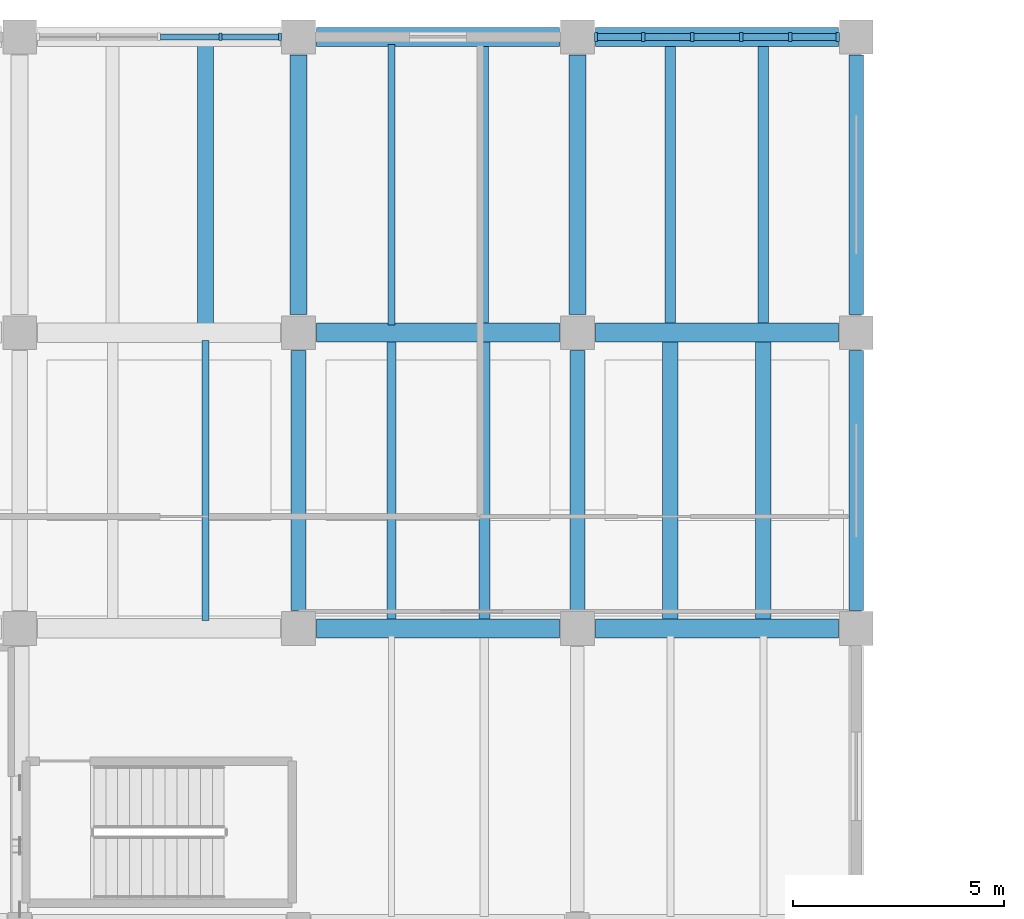
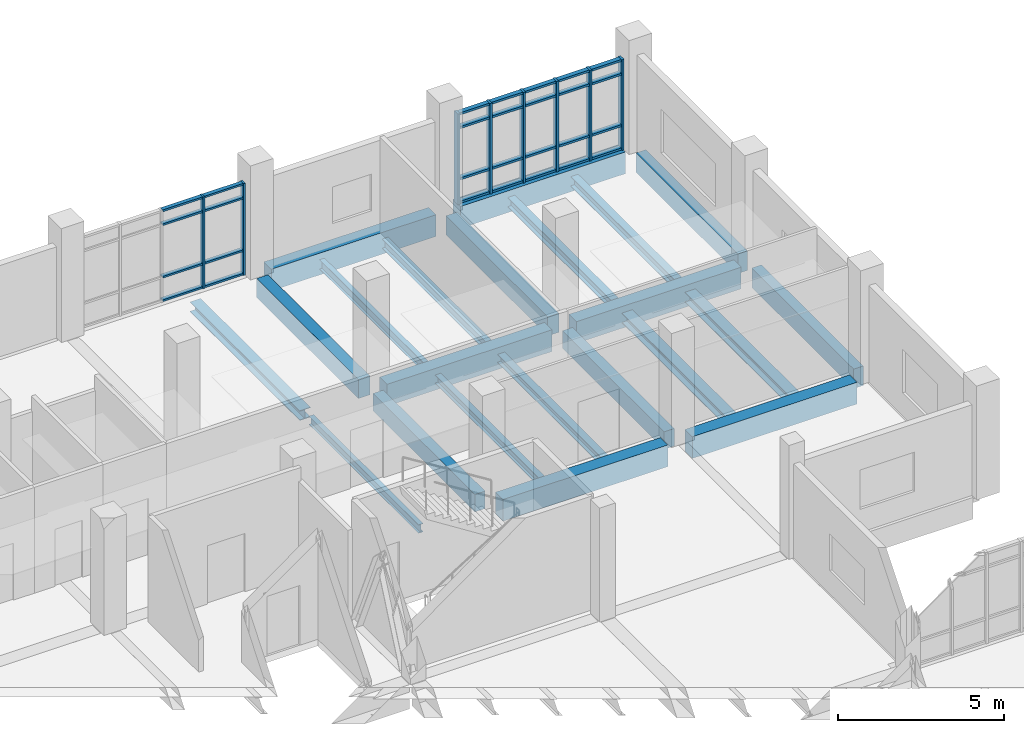
# One storey, part 34 of 67: 36 members, 22 beams, 2 elements without a shape of their own.
"""IFC4 building model written with IfcOpenShell, lengths in metres."""

from ifc_helpers import new_model, si_unit, direction, frame, origin, origin_2d, place, context, subcontext, project, spatial, rectangle, i_section, extrude, material, material_profile, profile_set, type_object, element, aggregate, save


model = new_model("IFC4")

# Units and contexts
model_context = context("Model", 3, precision=1e-05, world=origin(), true_north=direction((0.0, 1.0)))
body_context = subcontext(model_context, "Body", "Model", "MODEL_VIEW")
ifc_project = project(units=[si_unit("LENGTHUNIT", "METRE"), si_unit("AREAUNIT", "SQUARE_METRE"), si_unit("VOLUMEUNIT", "CUBIC_METRE"), si_unit("PLANEANGLEUNIT", "RADIAN"), si_unit("MASSUNIT", "GRAM", prefix="KILO")], contexts=[model_context])

# Site, building, storey
site_placement = place(None, origin())
site = spatial("IfcSite", under=ifc_project, at=site_placement, CompositionType="ELEMENT")
building_placement = place(site_placement, origin())
building = spatial("IfcBuilding", under=site, at=building_placement, Name="Ciguamira Faculty of Natural Sciences", CompositionType="ELEMENT")
storey_placement = place(building_placement, frame((0.0, 0.0, 8.39990234375)))
storey = spatial("IfcBuildingStorey", under=building, at=storey_placement, Name="L02", CompositionType="ELEMENT", Elevation=8.39990234375)

# Curtain wall, members
ifc_material_1 = material(Name="Anodized aluminium curtain wall", Category="aluminium")
curtain_wall_type_1 = type_object("IfcCurtainWallType", Name="CurtainWall_CW-02", PredefinedType="USERDEFINED", material=ifc_material_1)
curtain_wall_1_placement = place(storey_placement, origin())
curtain_wall_1 = element("IfcCurtainWall", 1, at=curtain_wall_1_placement, inside=storey, type_object=curtain_wall_type_1, Name="L02 unitised curtain wall 0074", ObjectType="UNITISED CURTAIN WALL", PredefinedType="USERDEFINED")
ifc_material_2 = material(Name="Anodized aluminium mullion", Category="aluminium")
ifc_material_profile_1 = material_profile(ifc_material_2, rectangle(XDim=0.070068359375, YDim=0.179931640625, at=origin_2d()), Name="ALU-MUL-70X180")
ifc_profile_set_1 = profile_set([ifc_material_profile_1], Name="Anodized aluminium mullion")
member_type_1 = type_object("IfcMemberType", Name="CWMullion_CWM-02", PredefinedType="MULLION", material=ifc_profile_set_1)
member_1_placement = place(storey_placement, frame((101.64990234375, 115.0, 0.0), z_axis=(0.0, 0.0, 1.0), x_axis=(1.0, 0.0, 0.0)))
member_1 = element("IfcMember", 2, at=member_1_placement, type_object=member_type_1, Name="CW-02 mullion 4", PredefinedType="MULLION", context=body_context, shape_type="SweptSolid", body=[
    extrude(rectangle(XDim=0.070068359375, YDim=0.179931640625, at=origin_2d()), origin(), (0.0, 0.0, 1.0), 3.385009765625),
])
member_2_placement = place(storey_placement, frame((103.06494140625, 115.0, 0.0), z_axis=(0.0, 0.0, 1.0), x_axis=(1.0, 0.0, 0.0)))
member_2 = element("IfcMember", 3, at=member_2_placement, type_object=member_type_1, Name="CW-02 mullion 5", PredefinedType="MULLION", context=body_context, shape_type="SweptSolid", body=[
    extrude(rectangle(XDim=0.070068359375, YDim=0.179931640625, at=origin_2d()), origin(), (0.0, 0.0, 1.0), 3.385009765625),
])

curtain_wall_type_2 = type_object("IfcCurtainWallType", Name="CurtainWall_CW-03", PredefinedType="USERDEFINED", material=ifc_material_1)
curtain_wall_2_placement = place(storey_placement, origin())
curtain_wall_2 = element("IfcCurtainWall", 4, at=curtain_wall_2_placement, inside=storey, type_object=curtain_wall_type_2, Name="L02 unitised curtain wall 0075", ObjectType="UNITISED CURTAIN WALL", PredefinedType="USERDEFINED")
ifc_material_profile_2 = material_profile(ifc_material_2, rectangle(XDim=0.080078125, YDim=0.219970703125, at=origin_2d()), Name="ALU-MUL-80X220")
ifc_profile_set_2 = profile_set([ifc_material_profile_2], Name="Anodized aluminium mullion")
member_type_2 = type_object("IfcMemberType", Name="CWMullion_CWM-03", PredefinedType="MULLION", material=ifc_profile_set_2)
member_3_placement = place(storey_placement, frame((110.5400390625, 115.0, 0.0), z_axis=(0.0, 0.0, 1.0), x_axis=(1.0, 0.0, 0.0)))
member_3 = element("IfcMember", 5, at=member_3_placement, type_object=member_type_2, Name="CW-03 mullion 1", PredefinedType="MULLION", context=body_context, shape_type="SweptSolid", body=[
    extrude(rectangle(XDim=0.080078125, YDim=0.219970703125, at=origin_2d()), origin(), (0.0, 0.0, 1.0), 3.34521484375),
])
member_4_placement = place(storey_placement, frame((111.659912109375, 115.0, 0.0), z_axis=(0.0, 0.0, 1.0), x_axis=(1.0, 0.0, 0.0)))
member_4 = element("IfcMember", 6, at=member_4_placement, type_object=member_type_2, Name="CW-03 mullion 2", PredefinedType="MULLION", context=body_context, shape_type="SweptSolid", body=[
    extrude(rectangle(XDim=0.080078125, YDim=0.219970703125, at=origin_2d()), origin(), (0.0, 0.0, 1.0), 3.34521484375),
])
member_5_placement = place(storey_placement, frame((112.820068359375, 115.0, 0.0), z_axis=(0.0, 0.0, 1.0), x_axis=(1.0, 0.0, 0.0)))
member_5 = element("IfcMember", 7, at=member_5_placement, type_object=member_type_2, Name="CW-03 mullion 3", PredefinedType="MULLION", context=body_context, shape_type="SweptSolid", body=[
    extrude(rectangle(XDim=0.080078125, YDim=0.219970703125, at=origin_2d()), origin(), (0.0, 0.0, 1.0), 3.34521484375),
])
member_6_placement = place(storey_placement, frame((113.97998046875, 115.0, 0.0), z_axis=(0.0, 0.0, 1.0), x_axis=(1.0, 0.0, 0.0)))
member_6 = element("IfcMember", 8, at=member_6_placement, type_object=member_type_2, Name="CW-03 mullion 4", PredefinedType="MULLION", context=body_context, shape_type="SweptSolid", body=[
    extrude(rectangle(XDim=0.080078125, YDim=0.219970703125, at=origin_2d()), origin(), (0.0, 0.0, 1.0), 3.34521484375),
])
member_7_placement = place(storey_placement, frame((115.139892578125, 115.0, 0.0), z_axis=(0.0, 0.0, 1.0), x_axis=(1.0, 0.0, 0.0)))
member_7 = element("IfcMember", 9, at=member_7_placement, type_object=member_type_2, Name="CW-03 mullion 5", PredefinedType="MULLION", context=body_context, shape_type="SweptSolid", body=[
    extrude(rectangle(XDim=0.080078125, YDim=0.219970703125, at=origin_2d()), origin(), (0.0, 0.0, 1.0), 3.34521484375),
])
member_8_placement = place(storey_placement, frame((116.260009765625, 115.0, 0.0), z_axis=(0.0, 0.0, 1.0), x_axis=(1.0, 0.0, 0.0)))
member_8 = element("IfcMember", 10, at=member_8_placement, type_object=member_type_2, Name="CW-03 mullion 6", PredefinedType="MULLION", context=body_context, shape_type="SweptSolid", body=[
    extrude(rectangle(XDim=0.080078125, YDim=0.219970703125, at=origin_2d()), origin(), (0.0, 0.0, 1.0), 3.34521484375),
])

# Member
ifc_material_3 = material(Name="Anodized aluminium transom", Category="aluminium")
ifc_material_profile_3 = material_profile(ifc_material_3, rectangle(XDim=0.070068359375, YDim=0.139892578125, at=origin_2d()), Name="ALU-TRN-70X140")
ifc_profile_set_3 = profile_set([ifc_material_profile_3], Name="Anodized aluminium transom")
member_type_3 = type_object("IfcMemberType", Name="CWTransom_CWT-02", PredefinedType="USERDEFINED", material=ifc_profile_set_3)
member_9_placement = place(storey_placement, frame((100.235107421875, 115.0, 0.03515625), z_axis=(1.0, 0.0, 0.0), x_axis=(0.0, 0.0, 1.0)))
member_9 = element("IfcMember", 11, at=member_9_placement, type_object=member_type_3, Name="CW-02 transom 3.1", ObjectType="TRANSOM", PredefinedType="USERDEFINED", context=body_context, shape_type="SweptSolid", body=[
    extrude(rectangle(XDim=0.070068359375, YDim=0.139892578125, at=origin_2d()), origin(), (0.0, 0.0, 1.0), 1.3798828125),
])

member_10_placement = place(storey_placement, frame((100.235107421875, 115.0, 0.900146484375), z_axis=(1.0, 0.0, 0.0), x_axis=(0.0, 0.0, 1.0)))
member_10 = element("IfcMember", 12, at=member_10_placement, type_object=member_type_3, Name="CW-02 transom 3.2", ObjectType="TRANSOM", PredefinedType="USERDEFINED", context=body_context, shape_type="SweptSolid", body=[
    extrude(rectangle(XDim=0.070068359375, YDim=0.139892578125, at=origin_2d()), origin(), (0.0, 0.0, 1.0), 1.3798828125),
])

member_11_placement = place(storey_placement, frame((100.235107421875, 115.0, 2.835205078125), z_axis=(1.0, 0.0, 0.0), x_axis=(0.0, 0.0, 1.0)))
member_11 = element("IfcMember", 13, at=member_11_placement, type_object=member_type_3, Name="CW-02 transom 3.3", ObjectType="TRANSOM", PredefinedType="USERDEFINED", context=body_context, shape_type="SweptSolid", body=[
    extrude(rectangle(XDim=0.070068359375, YDim=0.139892578125, at=origin_2d()), origin(), (0.0, 0.0, 1.0), 1.3798828125),
])

member_12_placement = place(storey_placement, frame((100.235107421875, 115.0, 3.35009765625), z_axis=(1.0, 0.0, 0.0), x_axis=(0.0, 0.0, 1.0)))
member_12 = element("IfcMember", 14, at=member_12_placement, type_object=member_type_3, Name="CW-02 transom 3.4", ObjectType="TRANSOM", PredefinedType="USERDEFINED", context=body_context, shape_type="SweptSolid", body=[
    extrude(rectangle(XDim=0.070068359375, YDim=0.139892578125, at=origin_2d()), origin(), (0.0, 0.0, 1.0), 1.3798828125),
])

member_13_placement = place(storey_placement, frame((101.68505859375, 115.0, 0.03515625), z_axis=(1.0, 0.0, 0.0), x_axis=(0.0, 0.0, 1.0)))
member_13 = element("IfcMember", 15, at=member_13_placement, type_object=member_type_3, Name="CW-02 transom 4.1", ObjectType="TRANSOM", PredefinedType="USERDEFINED", context=body_context, shape_type="SweptSolid", body=[
    extrude(rectangle(XDim=0.070068359375, YDim=0.139892578125, at=origin_2d()), origin(), (0.0, 0.0, 1.0), 1.344970703125),
])

member_14_placement = place(storey_placement, frame((101.68505859375, 115.0, 0.900146484375), z_axis=(1.0, 0.0, 0.0), x_axis=(0.0, 0.0, 1.0)))
member_14 = element("IfcMember", 16, at=member_14_placement, type_object=member_type_3, Name="CW-02 transom 4.2", ObjectType="TRANSOM", PredefinedType="USERDEFINED", context=body_context, shape_type="SweptSolid", body=[
    extrude(rectangle(XDim=0.070068359375, YDim=0.139892578125, at=origin_2d()), origin(), (0.0, 0.0, 1.0), 1.344970703125),
])

member_15_placement = place(storey_placement, frame((101.68505859375, 115.0, 2.835205078125), z_axis=(1.0, 0.0, 0.0), x_axis=(0.0, 0.0, 1.0)))
member_15 = element("IfcMember", 17, at=member_15_placement, type_object=member_type_3, Name="CW-02 transom 4.3", ObjectType="TRANSOM", PredefinedType="USERDEFINED", context=body_context, shape_type="SweptSolid", body=[
    extrude(rectangle(XDim=0.070068359375, YDim=0.139892578125, at=origin_2d()), origin(), (0.0, 0.0, 1.0), 1.344970703125),
])

member_16_placement = place(storey_placement, frame((101.68505859375, 115.0, 3.35009765625), z_axis=(1.0, 0.0, 0.0), x_axis=(0.0, 0.0, 1.0)))
member_16 = element("IfcMember", 18, at=member_16_placement, type_object=member_type_3, Name="CW-02 transom 4.4", ObjectType="TRANSOM", PredefinedType="USERDEFINED", context=body_context, shape_type="SweptSolid", body=[
    extrude(rectangle(XDim=0.070068359375, YDim=0.139892578125, at=origin_2d()), origin(), (0.0, 0.0, 1.0), 1.344970703125),
])

aggregate(curtain_wall_1, [member_1, member_2, member_9, member_10, member_11, member_12, member_13, member_14, member_15, member_16])

ifc_material_profile_4 = material_profile(ifc_material_3, rectangle(XDim=0.080078125, YDim=0.159912109375, at=origin_2d()), Name="ALU-TRN-80X160")
ifc_profile_set_4 = profile_set([ifc_material_profile_4], Name="Anodized aluminium transom")
member_type_4 = type_object("IfcMemberType", Name="CWTransom_CWT-03", PredefinedType="USERDEFINED", material=ifc_profile_set_4)
member_17_placement = place(storey_placement, frame((110.580078125, 115.0, 0.0400390625), z_axis=(1.0, 0.0, 0.0), x_axis=(0.0, 0.0, 1.0)))
member_17 = element("IfcMember", 19, at=member_17_placement, type_object=member_type_4, Name="CW-03 transom 1.1", ObjectType="TRANSOM", PredefinedType="USERDEFINED", context=body_context, shape_type="SweptSolid", body=[
    extrude(rectangle(XDim=0.080078125, YDim=0.159912109375, at=origin_2d()), origin(), (0.0, 0.0, 1.0), 1.0400390625),
])

member_18_placement = place(storey_placement, frame((110.580078125, 115.0, 0.900146484375), z_axis=(1.0, 0.0, 0.0), x_axis=(0.0, 0.0, 1.0)))
member_18 = element("IfcMember", 20, at=member_18_placement, type_object=member_type_4, Name="CW-03 transom 1.2", ObjectType="TRANSOM", PredefinedType="USERDEFINED", context=body_context, shape_type="SweptSolid", body=[
    extrude(rectangle(XDim=0.080078125, YDim=0.159912109375, at=origin_2d()), origin(), (0.0, 0.0, 1.0), 1.0400390625),
])

member_19_placement = place(storey_placement, frame((110.580078125, 115.0, 2.795166015625), z_axis=(1.0, 0.0, 0.0), x_axis=(0.0, 0.0, 1.0)))
member_19 = element("IfcMember", 21, at=member_19_placement, type_object=member_type_4, Name="CW-03 transom 1.3", ObjectType="TRANSOM", PredefinedType="USERDEFINED", context=body_context, shape_type="SweptSolid", body=[
    extrude(rectangle(XDim=0.080078125, YDim=0.159912109375, at=origin_2d()), origin(), (0.0, 0.0, 1.0), 1.0400390625),
])

member_20_placement = place(storey_placement, frame((110.580078125, 115.0, 3.30517578125), z_axis=(1.0, 0.0, 0.0), x_axis=(0.0, 0.0, 1.0)))
member_20 = element("IfcMember", 22, at=member_20_placement, type_object=member_type_4, Name="CW-03 transom 1.4", ObjectType="TRANSOM", PredefinedType="USERDEFINED", context=body_context, shape_type="SweptSolid", body=[
    extrude(rectangle(XDim=0.080078125, YDim=0.159912109375, at=origin_2d()), origin(), (0.0, 0.0, 1.0), 1.0400390625),
])

member_21_placement = place(storey_placement, frame((111.699951171875, 115.0, 0.0400390625), z_axis=(1.0, 0.0, 0.0), x_axis=(0.0, 0.0, 1.0)))
member_21 = element("IfcMember", 23, at=member_21_placement, type_object=member_type_4, Name="CW-03 transom 2.1", ObjectType="TRANSOM", PredefinedType="USERDEFINED", context=body_context, shape_type="SweptSolid", body=[
    extrude(rectangle(XDim=0.080078125, YDim=0.159912109375, at=origin_2d()), origin(), (0.0, 0.0, 1.0), 1.080078125),
])

member_22_placement = place(storey_placement, frame((111.699951171875, 115.0, 0.900146484375), z_axis=(1.0, 0.0, 0.0), x_axis=(0.0, 0.0, 1.0)))
member_22 = element("IfcMember", 24, at=member_22_placement, type_object=member_type_4, Name="CW-03 transom 2.2", ObjectType="TRANSOM", PredefinedType="USERDEFINED", context=body_context, shape_type="SweptSolid", body=[
    extrude(rectangle(XDim=0.080078125, YDim=0.159912109375, at=origin_2d()), origin(), (0.0, 0.0, 1.0), 1.080078125),
])

member_23_placement = place(storey_placement, frame((111.699951171875, 115.0, 2.795166015625), z_axis=(1.0, 0.0, 0.0), x_axis=(0.0, 0.0, 1.0)))
member_23 = element("IfcMember", 25, at=member_23_placement, type_object=member_type_4, Name="CW-03 transom 2.3", ObjectType="TRANSOM", PredefinedType="USERDEFINED", context=body_context, shape_type="SweptSolid", body=[
    extrude(rectangle(XDim=0.080078125, YDim=0.159912109375, at=origin_2d()), origin(), (0.0, 0.0, 1.0), 1.080078125),
])

member_24_placement = place(storey_placement, frame((111.699951171875, 115.0, 3.30517578125), z_axis=(1.0, 0.0, 0.0), x_axis=(0.0, 0.0, 1.0)))
member_24 = element("IfcMember", 26, at=member_24_placement, type_object=member_type_4, Name="CW-03 transom 2.4", ObjectType="TRANSOM", PredefinedType="USERDEFINED", context=body_context, shape_type="SweptSolid", body=[
    extrude(rectangle(XDim=0.080078125, YDim=0.159912109375, at=origin_2d()), origin(), (0.0, 0.0, 1.0), 1.080078125),
])

member_25_placement = place(storey_placement, frame((112.860107421875, 115.0, 0.0400390625), z_axis=(1.0, 0.0, 0.0), x_axis=(0.0, 0.0, 1.0)))
member_25 = element("IfcMember", 27, at=member_25_placement, type_object=member_type_4, Name="CW-03 transom 3.1", ObjectType="TRANSOM", PredefinedType="USERDEFINED", context=body_context, shape_type="SweptSolid", body=[
    extrude(rectangle(XDim=0.080078125, YDim=0.159912109375, at=origin_2d()), origin(), (0.0, 0.0, 1.0), 1.079833984375),
])

member_26_placement = place(storey_placement, frame((112.860107421875, 115.0, 0.900146484375), z_axis=(1.0, 0.0, 0.0), x_axis=(0.0, 0.0, 1.0)))
member_26 = element("IfcMember", 28, at=member_26_placement, type_object=member_type_4, Name="CW-03 transom 3.2", ObjectType="TRANSOM", PredefinedType="USERDEFINED", context=body_context, shape_type="SweptSolid", body=[
    extrude(rectangle(XDim=0.080078125, YDim=0.159912109375, at=origin_2d()), origin(), (0.0, 0.0, 1.0), 1.079833984375),
])

member_27_placement = place(storey_placement, frame((112.860107421875, 115.0, 2.795166015625), z_axis=(1.0, 0.0, 0.0), x_axis=(0.0, 0.0, 1.0)))
member_27 = element("IfcMember", 29, at=member_27_placement, type_object=member_type_4, Name="CW-03 transom 3.3", ObjectType="TRANSOM", PredefinedType="USERDEFINED", context=body_context, shape_type="SweptSolid", body=[
    extrude(rectangle(XDim=0.080078125, YDim=0.159912109375, at=origin_2d()), origin(), (0.0, 0.0, 1.0), 1.079833984375),
])

member_28_placement = place(storey_placement, frame((112.860107421875, 115.0, 3.30517578125), z_axis=(1.0, 0.0, 0.0), x_axis=(0.0, 0.0, 1.0)))
member_28 = element("IfcMember", 30, at=member_28_placement, type_object=member_type_4, Name="CW-03 transom 3.4", ObjectType="TRANSOM", PredefinedType="USERDEFINED", context=body_context, shape_type="SweptSolid", body=[
    extrude(rectangle(XDim=0.080078125, YDim=0.159912109375, at=origin_2d()), origin(), (0.0, 0.0, 1.0), 1.079833984375),
])

member_29_placement = place(storey_placement, frame((114.02001953125, 115.0, 0.0400390625), z_axis=(1.0, 0.0, 0.0), x_axis=(0.0, 0.0, 1.0)))
member_29 = element("IfcMember", 31, at=member_29_placement, type_object=member_type_4, Name="CW-03 transom 4.1", ObjectType="TRANSOM", PredefinedType="USERDEFINED", context=body_context, shape_type="SweptSolid", body=[
    extrude(rectangle(XDim=0.080078125, YDim=0.159912109375, at=origin_2d()), origin(), (0.0, 0.0, 1.0), 1.080078125),
])

member_30_placement = place(storey_placement, frame((114.02001953125, 115.0, 0.900146484375), z_axis=(1.0, 0.0, 0.0), x_axis=(0.0, 0.0, 1.0)))
member_30 = element("IfcMember", 32, at=member_30_placement, type_object=member_type_4, Name="CW-03 transom 4.2", ObjectType="TRANSOM", PredefinedType="USERDEFINED", context=body_context, shape_type="SweptSolid", body=[
    extrude(rectangle(XDim=0.080078125, YDim=0.159912109375, at=origin_2d()), origin(), (0.0, 0.0, 1.0), 1.080078125),
])

member_31_placement = place(storey_placement, frame((114.02001953125, 115.0, 2.795166015625), z_axis=(1.0, 0.0, 0.0), x_axis=(0.0, 0.0, 1.0)))
member_31 = element("IfcMember", 33, at=member_31_placement, type_object=member_type_4, Name="CW-03 transom 4.3", ObjectType="TRANSOM", PredefinedType="USERDEFINED", context=body_context, shape_type="SweptSolid", body=[
    extrude(rectangle(XDim=0.080078125, YDim=0.159912109375, at=origin_2d()), origin(), (0.0, 0.0, 1.0), 1.080078125),
])

member_32_placement = place(storey_placement, frame((114.02001953125, 115.0, 3.30517578125), z_axis=(1.0, 0.0, 0.0), x_axis=(0.0, 0.0, 1.0)))
member_32 = element("IfcMember", 34, at=member_32_placement, type_object=member_type_4, Name="CW-03 transom 4.4", ObjectType="TRANSOM", PredefinedType="USERDEFINED", context=body_context, shape_type="SweptSolid", body=[
    extrude(rectangle(XDim=0.080078125, YDim=0.159912109375, at=origin_2d()), origin(), (0.0, 0.0, 1.0), 1.080078125),
])

member_33_placement = place(storey_placement, frame((115.179931640625, 115.0, 0.0400390625), z_axis=(1.0, 0.0, 0.0), x_axis=(0.0, 0.0, 1.0)))
member_33 = element("IfcMember", 35, at=member_33_placement, type_object=member_type_4, Name="CW-03 transom 5.1", ObjectType="TRANSOM", PredefinedType="USERDEFINED", context=body_context, shape_type="SweptSolid", body=[
    extrude(rectangle(XDim=0.080078125, YDim=0.159912109375, at=origin_2d()), origin(), (0.0, 0.0, 1.0), 1.0400390625),
])

member_34_placement = place(storey_placement, frame((115.179931640625, 115.0, 0.900146484375), z_axis=(1.0, 0.0, 0.0), x_axis=(0.0, 0.0, 1.0)))
member_34 = element("IfcMember", 36, at=member_34_placement, type_object=member_type_4, Name="CW-03 transom 5.2", ObjectType="TRANSOM", PredefinedType="USERDEFINED", context=body_context, shape_type="SweptSolid", body=[
    extrude(rectangle(XDim=0.080078125, YDim=0.159912109375, at=origin_2d()), origin(), (0.0, 0.0, 1.0), 1.0400390625),
])

member_35_placement = place(storey_placement, frame((115.179931640625, 115.0, 2.795166015625), z_axis=(1.0, 0.0, 0.0), x_axis=(0.0, 0.0, 1.0)))
member_35 = element("IfcMember", 37, at=member_35_placement, type_object=member_type_4, Name="CW-03 transom 5.3", ObjectType="TRANSOM", PredefinedType="USERDEFINED", context=body_context, shape_type="SweptSolid", body=[
    extrude(rectangle(XDim=0.080078125, YDim=0.159912109375, at=origin_2d()), origin(), (0.0, 0.0, 1.0), 1.0400390625),
])

member_36_placement = place(storey_placement, frame((115.179931640625, 115.0, 3.30517578125), z_axis=(1.0, 0.0, 0.0), x_axis=(0.0, 0.0, 1.0)))
member_36 = element("IfcMember", 38, at=member_36_placement, type_object=member_type_4, Name="CW-03 transom 5.4", ObjectType="TRANSOM", PredefinedType="USERDEFINED", context=body_context, shape_type="SweptSolid", body=[
    extrude(rectangle(XDim=0.080078125, YDim=0.159912109375, at=origin_2d()), origin(), (0.0, 0.0, 1.0), 1.0400390625),
])

aggregate(curtain_wall_2, [member_3, member_4, member_5, member_6, member_7, member_8, member_17, member_18, member_19, member_20, member_21, member_22, member_23, member_24, member_25, member_26, member_27, member_28, member_29, member_30, member_31, member_32, member_33, member_34, member_35, member_36])

# Beams
ifc_material_4 = material(Name="Concrete C40/50", Category="concrete")
ifc_material_profile_5 = material_profile(ifc_material_4, rectangle(XDim=0.449951171875, YDim=0.800048828125, at=origin_2d()), Name="RC-BM-450X800")
ifc_profile_set_5 = profile_set([ifc_material_profile_5], Name="Concrete C40/50")
beam_type_1 = type_object("IfcBeamType", Name="RCBeam_BG-05_RC-BM-450X800", PredefinedType="BEAM", material=ifc_profile_set_5)
for number, where, z_axis, x_axis, name in (
    (39, (103.925048828125, 101.0, -0.39990234375), (1.0, 0.0, 0.0), (0.0, 1.0, 0.0), "L02 RC girder EW-0855"),
    (40, (110.52490234375, 101.0, -0.39990234375), (1.0, 0.0, 0.0), (0.0, 1.0, 0.0), "L02 RC girder EW-0856"),
    (41, (103.925048828125, 108.0, -0.39990234375), (1.0, 0.0, 0.0), (0.0, 1.0, 0.0), "L02 RC girder EW-0864"),
    (42, (110.52490234375, 108.0, -0.39990234375), (1.0, 0.0, 0.0), (0.0, 1.0, 0.0), "L02 RC girder EW-0865"),
    (43, (103.925048828125, 115.0, -0.39990234375), (1.0, 0.0, 0.0), (0.0, 1.0, 0.0), "L02 RC girder EW-0873"),
    (44, (110.52490234375, 115.0, -0.39990234375), (1.0, 0.0, 0.0), (0.0, 1.0, 0.0), "L02 RC girder EW-0874"),
):
    element("IfcBeam", number, at=place(storey_placement, frame(where, z_axis=z_axis, x_axis=x_axis)), inside=storey, type_object=beam_type_1, Name=name, PredefinedType="BEAM", context=body_context, shape_type="SweptSolid", body=[
        extrude(rectangle(XDim=0.449951171875, YDim=0.800048828125, at=origin_2d()), origin(), (0.0, 0.0, 1.0), 5.75),
    ])
ifc_material_profile_6 = material_profile(ifc_material_4, rectangle(XDim=0.39990234375, YDim=0.699951171875, at=origin_2d()), Name="RC-BM-400X700")
ifc_profile_set_6 = profile_set([ifc_material_profile_6], Name="Concrete C40/50")
beam_type_2 = type_object("IfcBeamType", Name="RCBeam_BG-08_RC-BM-400X700", PredefinedType="BEAM", material=ifc_profile_set_6)
for number, where, z_axis, x_axis, name in (
    (45, (103.5, 108.425048828125, -0.349853515625), (0.0, 1.0, 0.0), (-1.0, 0.0, 0.0), "L02 girder NS-0985"),
    (46, (110.10009765625, 108.425048828125, -0.349853515625), (0.0, 1.0, 0.0), (-1.0, 0.0, 0.0), "L02 girder NS-0998"),
):
    element("IfcBeam", number, at=place(storey_placement, frame(where, z_axis=z_axis, x_axis=x_axis)), inside=storey, type_object=beam_type_2, Name=name, PredefinedType="BEAM", context=body_context, shape_type="SweptSolid", body=[
        extrude(rectangle(XDim=0.39990234375, YDim=0.699951171875, at=origin_2d()), origin(), (0.0, 0.0, 1.0), 6.14990234375),
    ])
ifc_material_profile_7 = material_profile(ifc_material_4, rectangle(XDim=0.360107421875, YDim=0.639892578125, at=origin_2d()), Name="RC-BM-360X640")
ifc_profile_set_7 = profile_set([ifc_material_profile_7], Name="Concrete C40/50")
beam_type_3 = type_object("IfcBeamType", Name="RCBeam_BG-10_RC-BM-360X640", PredefinedType="BEAM", material=ifc_profile_set_7)
for number, where, z_axis, x_axis, name in (
    (47, (103.5, 101.425048828125, -0.31982421875), (0.0, 1.0, 0.0), (-1.0, 0.0, 0.0), "L02 girder NS-0984"),
    (48, (110.10009765625, 101.425048828125, -0.31982421875), (0.0, 1.0, 0.0), (-1.0, 0.0, 0.0), "L02 girder NS-0997"),
):
    element("IfcBeam", number, at=place(storey_placement, frame(where, z_axis=z_axis, x_axis=x_axis)), inside=storey, type_object=beam_type_3, Name=name, PredefinedType="BEAM", context=body_context, shape_type="SweptSolid", body=[
        extrude(rectangle(XDim=0.360107421875, YDim=0.639892578125, at=origin_2d()), origin(), (0.0, 0.0, 1.0), 6.14990234375),
    ])
ifc_material_5 = material(Name="Precast concrete C40/50", Category="concrete")
ifc_material_profile_8 = material_profile(ifc_material_5, rectangle(XDim=0.340087890625, YDim=0.719970703125, at=origin_2d()), Name="RC-SP-340X720")
ifc_profile_set_8 = profile_set([ifc_material_profile_8], Name="Precast concrete C40/50")
beam_type_4 = type_object("IfcBeamType", Name="RCBeam_SP-03_RC-SP-340X720", PredefinedType="SPANDREL", material=ifc_profile_set_8)
for number, where, z_axis, x_axis, name in (
    (49, (116.699951171875, 101.425048828125, -0.35986328125), (0.0, 1.0, 0.0), (-1.0, 0.0, 0.0), "L02 girder NS-1009"),
    (50, (116.699951171875, 108.425048828125, -0.35986328125), (0.0, 1.0, 0.0), (-1.0, 0.0, 0.0), "L02 girder NS-1010"),
):
    element("IfcBeam", number, at=place(storey_placement, frame(where, z_axis=z_axis, x_axis=x_axis)), inside=storey, type_object=beam_type_4, Name=name, PredefinedType="SPANDREL", context=body_context, shape_type="SweptSolid", body=[
        extrude(rectangle(XDim=0.340087890625, YDim=0.719970703125, at=origin_2d()), origin(), (0.0, 0.0, 1.0), 6.14990234375),
    ])
ifc_material_6 = material(Name="Steel ASTM A992 Grade 50", Category="steel")
ifc_material_profile_9 = material_profile(ifc_material_6, i_section(OverallWidth=0.164794921875, OverallDepth=0.309814453125, WebThickness=0.005859375, FlangeThickness=0.009765625, at=origin_2d()), Name="W12X26")
ifc_profile_set_9 = profile_set([ifc_material_profile_9], Name="Steel ASTM A992 Grade 50")
beam_type_5 = type_object("IfcBeamType", Name="SteelJoist_SJ-04_W12X26", PredefinedType="JOIST", material=ifc_profile_set_9)
beam_1_placement = place(storey_placement, frame((101.300048828125, 101.18994140625, -0.394775390625), z_axis=(0.0, 1.0, 0.0), x_axis=(-1.0, 0.0, 0.0)))
element("IfcBeam", 51, at=beam_1_placement, inside=storey, type_object=beam_type_5, Name="L02 composite steel joist 00889", PredefinedType="JOIST", context=body_context, shape_type="SweptSolid", body=[
    extrude(i_section(OverallWidth=0.164794921875, OverallDepth=0.309814453125, WebThickness=0.005859375, FlangeThickness=0.009765625, at=origin_2d()), origin(), (0.0, 0.0, 1.0), 6.6201171875),
])
ifc_material_profile_10 = material_profile(ifc_material_6, i_section(OverallWidth=0.20458984375, OverallDepth=0.307373046875, WebThickness=0.008544921875, FlangeThickness=0.0146484375, at=origin_2d()), Name="W12X45")
ifc_profile_set_10 = profile_set([ifc_material_profile_10], Name="Steel ASTM A992 Grade 50")
beam_type_6 = type_object("IfcBeamType", Name="SteelJoist_SJ-06_W12X45", PredefinedType="JOIST", material=ifc_profile_set_10)
beam_2_placement = place(storey_placement, frame((105.699951171875, 101.18505859375, -0.3935546875), z_axis=(0.0, 1.0, 0.0), x_axis=(-1.0, 0.0, 0.0)))
element("IfcBeam", 52, at=beam_2_placement, inside=storey, type_object=beam_type_6, Name="L02 composite steel joist 00915", PredefinedType="JOIST", context=body_context, shape_type="SweptSolid", body=[
    extrude(i_section(OverallWidth=0.20458984375, OverallDepth=0.307373046875, WebThickness=0.008544921875, FlangeThickness=0.0146484375, at=origin_2d()), origin(), (0.0, 0.0, 1.0), 6.6298828125),
])
ifc_material_profile_11 = material_profile(ifc_material_6, i_section(OverallWidth=0.25390625, OverallDepth=0.307373046875, WebThickness=0.0087890625, FlangeThickness=0.0146484375, at=origin_2d()), Name="W12X53")
ifc_profile_set_11 = profile_set([ifc_material_profile_11], Name="Steel ASTM A992 Grade 50")
beam_type_7 = type_object("IfcBeamType", Name="SteelJoist_SJ-07_W12X53", PredefinedType="JOIST", material=ifc_profile_set_11)
beam_3_placement = place(storey_placement, frame((107.89990234375, 101.18505859375, -0.3935546875), z_axis=(0.0, 1.0, 0.0), x_axis=(-1.0, 0.0, 0.0)))
element("IfcBeam", 53, at=beam_3_placement, inside=storey, type_object=beam_type_7, Name="L02 composite steel joist 00916", PredefinedType="JOIST", context=body_context, shape_type="SweptSolid", body=[
    extrude(i_section(OverallWidth=0.25390625, OverallDepth=0.307373046875, WebThickness=0.0087890625, FlangeThickness=0.0146484375, at=origin_2d()), origin(), (0.0, 0.0, 1.0), 6.6298828125),
])
ifc_material_profile_12 = material_profile(ifc_material_6, i_section(OverallWidth=0.370849609375, OverallDepth=0.36328125, WebThickness=0.013427734375, FlangeThickness=0.021728515625, at=origin_2d()), Name="W14X109")
ifc_profile_set_12 = profile_set([ifc_material_profile_12], Name="Steel ASTM A992 Grade 50")
beam_type_8 = type_object("IfcBeamType", Name="SteelJoist_SJ-09_W14X109", PredefinedType="JOIST", material=ifc_profile_set_12)
beam_4_placement = place(storey_placement, frame((101.300048828125, 108.18994140625, -0.42138671875), z_axis=(0.0, 1.0, 0.0), x_axis=(-1.0, 0.0, 0.0)))
element("IfcBeam", 54, at=beam_4_placement, inside=storey, type_object=beam_type_8, Name="L02 composite steel joist 00891", PredefinedType="JOIST", context=body_context, shape_type="SweptSolid", body=[
    extrude(i_section(OverallWidth=0.370849609375, OverallDepth=0.36328125, WebThickness=0.013427734375, FlangeThickness=0.021728515625, at=origin_2d()), origin(), (0.0, 0.0, 1.0), 6.6201171875),
])
beam_5_placement = place(storey_placement, frame((112.300048828125, 101.18505859375, -0.42138671875), z_axis=(0.0, 1.0, 0.0), x_axis=(-1.0, 0.0, 0.0)))
element("IfcBeam", 55, at=beam_5_placement, inside=storey, type_object=beam_type_8, Name="L02 composite steel joist 00945", PredefinedType="JOIST", context=body_context, shape_type="SweptSolid", body=[
    extrude(i_section(OverallWidth=0.370849609375, OverallDepth=0.36328125, WebThickness=0.013427734375, FlangeThickness=0.021728515625, at=origin_2d()), origin(), (0.0, 0.0, 1.0), 6.6298828125),
])
ifc_material_profile_13 = material_profile(ifc_material_6, i_section(OverallWidth=0.373291015625, OverallDepth=0.373291015625, WebThickness=0.016357421875, FlangeThickness=0.026123046875, at=origin_2d()), Name="W14X132")
ifc_profile_set_13 = profile_set([ifc_material_profile_13], Name="Steel ASTM A992 Grade 50")
beam_type_9 = type_object("IfcBeamType", Name="SteelJoist_SJ-10_W14X132", PredefinedType="JOIST", material=ifc_profile_set_13)
beam_6_placement = place(storey_placement, frame((114.5, 101.18505859375, -0.426513671875), z_axis=(0.0, 1.0, 0.0), x_axis=(-1.0, 0.0, 0.0)))
element("IfcBeam", 56, at=beam_6_placement, inside=storey, type_object=beam_type_9, Name="L02 composite steel joist 00946", PredefinedType="JOIST", context=body_context, shape_type="SweptSolid", body=[
    extrude(i_section(OverallWidth=0.373291015625, OverallDepth=0.373291015625, WebThickness=0.016357421875, FlangeThickness=0.026123046875, at=origin_2d()), origin(), (0.0, 0.0, 1.0), 6.6298828125),
])
ifc_material_profile_14 = material_profile(ifc_material_6, i_section(OverallWidth=0.1708984375, OverallDepth=0.3505859375, WebThickness=0.0068359375, FlangeThickness=0.009765625, at=origin_2d()), Name="W14X30")
ifc_profile_set_14 = profile_set([ifc_material_profile_14], Name="Steel ASTM A992 Grade 50")
beam_type_10 = type_object("IfcBeamType", Name="SteelJoist_SJ-11_W14X30", PredefinedType="JOIST", material=ifc_profile_set_14)
beam_7_placement = place(storey_placement, frame((105.699951171875, 108.18505859375, -0.415283203125), z_axis=(0.0, 1.0, 0.0), x_axis=(-1.0, 0.0, 0.0)))
element("IfcBeam", 57, at=beam_7_placement, inside=storey, type_object=beam_type_10, Name="L02 composite steel joist 00917", PredefinedType="JOIST", context=body_context, shape_type="SweptSolid", body=[
    extrude(i_section(OverallWidth=0.1708984375, OverallDepth=0.3505859375, WebThickness=0.0068359375, FlangeThickness=0.009765625, at=origin_2d()), origin(), (0.0, 0.0, 1.0), 6.6298828125),
])
ifc_material_profile_15 = material_profile(ifc_material_6, i_section(OverallWidth=0.203125, OverallDepth=0.347900390625, WebThickness=0.0078125, FlangeThickness=0.013427734375, at=origin_2d()), Name="W14X43")
ifc_profile_set_15 = profile_set([ifc_material_profile_15], Name="Steel ASTM A992 Grade 50")
beam_type_11 = type_object("IfcBeamType", Name="SteelJoist_SJ-12_W14X43", PredefinedType="JOIST", material=ifc_profile_set_15)
beam_8_placement = place(storey_placement, frame((107.89990234375, 108.18505859375, -0.413818359375), z_axis=(0.0, 1.0, 0.0), x_axis=(-1.0, 0.0, 0.0)))
element("IfcBeam", 58, at=beam_8_placement, inside=storey, type_object=beam_type_11, Name="L02 composite steel joist 00918", PredefinedType="JOIST", context=body_context, shape_type="SweptSolid", body=[
    extrude(i_section(OverallWidth=0.203125, OverallDepth=0.347900390625, WebThickness=0.0078125, FlangeThickness=0.013427734375, at=origin_2d()), origin(), (0.0, 0.0, 1.0), 6.6298828125),
])
ifc_material_profile_16 = material_profile(ifc_material_6, i_section(OverallWidth=0.25390625, OverallDepth=0.355712890625, WebThickness=0.010498046875, FlangeThickness=0.018310546875, at=origin_2d()), Name="W14X68")
ifc_profile_set_16 = profile_set([ifc_material_profile_16], Name="Steel ASTM A992 Grade 50")
beam_type_12 = type_object("IfcBeamType", Name="SteelJoist_SJ-14_W14X68", PredefinedType="JOIST", material=ifc_profile_set_16)
beam_9_placement = place(storey_placement, frame((112.300048828125, 108.18505859375, -0.417724609375), z_axis=(0.0, 1.0, 0.0), x_axis=(-1.0, 0.0, 0.0)))
element("IfcBeam", 59, at=beam_9_placement, inside=storey, type_object=beam_type_12, Name="L02 composite steel joist 00947", PredefinedType="JOIST", context=body_context, shape_type="SweptSolid", body=[
    extrude(i_section(OverallWidth=0.25390625, OverallDepth=0.355712890625, WebThickness=0.010498046875, FlangeThickness=0.018310546875, at=origin_2d()), origin(), (0.0, 0.0, 1.0), 6.6298828125),
])
ifc_material_profile_17 = material_profile(ifc_material_6, i_section(OverallWidth=0.256591796875, OverallDepth=0.36328125, WebThickness=0.012939453125, FlangeThickness=0.021728515625, at=origin_2d()), Name="W14X82")
ifc_profile_set_17 = profile_set([ifc_material_profile_17], Name="Steel ASTM A992 Grade 50")
beam_type_13 = type_object("IfcBeamType", Name="SteelJoist_SJ-15_W14X82", PredefinedType="JOIST", material=ifc_profile_set_17)
beam_10_placement = place(storey_placement, frame((114.5, 108.18505859375, -0.42138671875), z_axis=(0.0, 1.0, 0.0), x_axis=(-1.0, 0.0, 0.0)))
element("IfcBeam", 60, at=beam_10_placement, inside=storey, type_object=beam_type_13, Name="L02 composite steel joist 00948", PredefinedType="JOIST", context=body_context, shape_type="SweptSolid", body=[
    extrude(i_section(OverallWidth=0.256591796875, OverallDepth=0.36328125, WebThickness=0.012939453125, FlangeThickness=0.021728515625, at=origin_2d()), origin(), (0.0, 0.0, 1.0), 6.6298828125),
])

save(model, "model.ifc")
